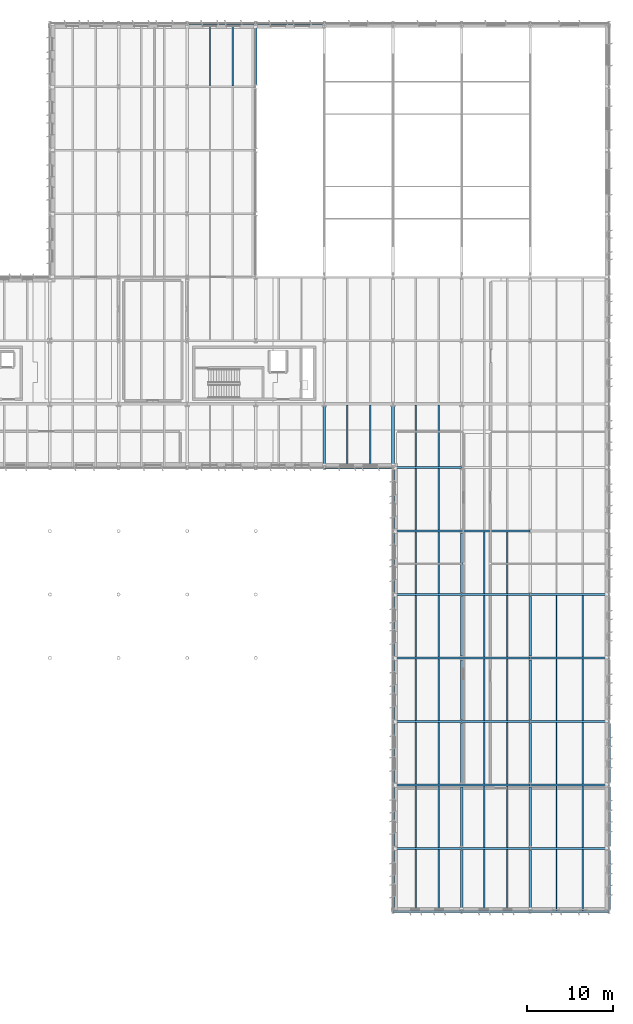
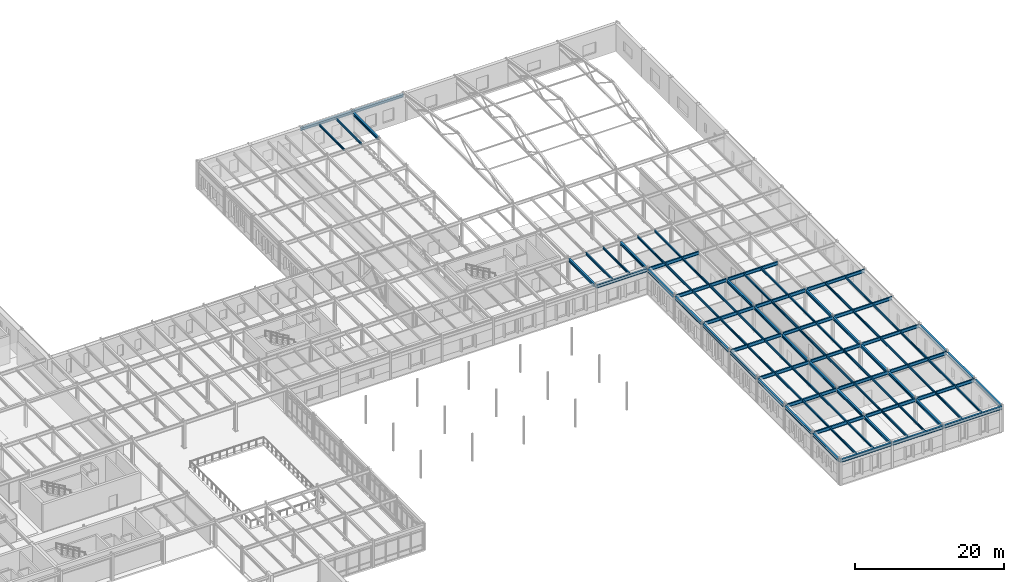
# One storey, part 26 of 75: 90 beams.
"""IFC4 building model written with IfcOpenShell, lengths in metres."""

import ifcopenshell
import ifcopenshell.guid

model = None  # the IFC model being written
_history = None  # IfcOwnerHistory: only IFC2X3 demands one
_inside = {}  # id of a spatial element -> (the spatial element, [elements in it])
_under = {}  # id of a project, library or spatial element -> (it, [spatial elements below it])
_declared = {}  # id of a project -> (the project, [libraries it declares])
_typed = {}  # id of a type object -> (the type object, [elements of that type])
_made_of = {}  # id of a material, layer set ... -> (it, [elements and type objects made of it])


def new_model(schema):
    """Start an empty IFC model of exactly this schema.

    Asked for "IFC4X3", IfcOpenShell would pick the latest addendum, in which some entities
    have other attributes; the version numbers below select the first issue.
    IFC2X3 requires an IfcOwnerHistory on every rooted entity: one is made here for all.
    """
    global model, _history
    if schema == "IFC4X3":
        model = ifcopenshell.file(schema_version=(4, 3, 0, 0))
    else:
        model = ifcopenshell.file(schema=schema)
    _inside.clear()
    _under.clear()
    _declared.clear()
    _typed.clear()
    _made_of.clear()
    _history = None
    if model.schema == "IFC2X3":
        org = make("IfcOrganization", Name="unknown")
        user = make(
            "IfcPersonAndOrganization",
            ThePerson=make("IfcPerson", FamilyName="unknown"),
            TheOrganization=org,
        )
        app = make(
            "IfcApplication",
            ApplicationDeveloper=org,
            Version="unknown",
            ApplicationFullName="unknown",
            ApplicationIdentifier="unknown",
        )
        _history = make(
            "IfcOwnerHistory",
            OwningUser=user,
            OwningApplication=app,
            ChangeAction="ADDED",
            CreationDate=0,
        )
    return model


def make(cls, **values):
    """One entity of the class cls with the attributes given. An attribute that is None is left unset."""
    return model.create_entity(
        cls, **{name: value for name, value in values.items() if value is not None}
    )


def rooted(cls, **values):
    """An entity with a GlobalId (a new one), such as an element, a storey or a relation."""
    return make(cls, GlobalId=ifcopenshell.guid.new(), OwnerHistory=_history, **values)


def si_unit(unit_type, name, prefix=None):
    """IfcSIUnit, for example si_unit("LENGTHUNIT", "METRE", prefix="MILLI")."""
    return make("IfcSIUnit", UnitType=unit_type, Prefix=prefix, Name=name)


def assignment(units):
    """IfcUnitAssignment: the units of a project."""
    return None if units is None else make("IfcUnitAssignment", Units=units)


def point(xyz):
    """IfcCartesianPoint."""
    return None if xyz is None else make("IfcCartesianPoint", Coordinates=xyz)


def direction(xyz):
    """IfcDirection."""
    return None if xyz is None else make("IfcDirection", DirectionRatios=xyz)


def frame(location, z_axis=None, x_axis=None):
    """IfcAxis2Placement3D, a coordinate frame: its origin and axes. An axis left out is left unset."""
    return make(
        "IfcAxis2Placement3D",
        Location=point(location),
        Axis=direction(z_axis),
        RefDirection=direction(x_axis),
    )


def frame_2d(location, x_axis=None):
    """IfcAxis2Placement2D, a coordinate frame in the plane: its origin and x axis."""
    return make(
        "IfcAxis2Placement2D", Location=point(location), RefDirection=direction(x_axis)
    )


def origin():
    """The frame at (0, 0, 0) with its axes left unset."""
    return frame((0.0, 0.0, 0.0))


def origin_2d():
    """The frame at (0, 0) in the plane with its x axis left unset."""
    return frame_2d((0.0, 0.0))


def place(relative_to, where):
    """IfcLocalPlacement: puts the frame where relative to a parent placement (None: the world)."""
    return make(
        "IfcLocalPlacement", PlacementRelTo=relative_to, RelativePlacement=where
    )


def context(
    kind, dimensions, precision=None, world=None, true_north=None, identifier=None
):
    """IfcGeometricRepresentationContext, for example the 3D "Model" context."""
    return make(
        "IfcGeometricRepresentationContext",
        ContextIdentifier=identifier,
        ContextType=kind,
        CoordinateSpaceDimension=dimensions,
        Precision=precision,
        WorldCoordinateSystem=world,
        TrueNorth=true_north,
    )


def subcontext(parent, identifier, kind, view, scale=None):
    """IfcGeometricRepresentationSubContext, for example "Body" below "Model"."""
    return make(
        "IfcGeometricRepresentationSubContext",
        ContextIdentifier=identifier,
        ContextType=kind,
        ParentContext=parent,
        TargetScale=scale,
        TargetView=view,
    )


def project(units=None, contexts=None):
    """IfcProject with its units and contexts."""
    return rooted(
        "IfcProject",
        Name="project",
        RepresentationContexts=contexts,
        UnitsInContext=assignment(units),
    )


def spatial(cls, under=None, at=None, **own):
    """A site, building, storey or space (cls), placed at a placement, below another one or the project."""
    s = rooted(cls, ObjectPlacement=at, **own)
    if under is not None:
        _under.setdefault(under.id(), (under, []))[1].append(s)
    return s


def profile(cls, at=None, kind="AREA", **sizes):
    """A parametric profile (cls). Its sizes go by their IFC names, for example OverallWidth=200.0."""
    return make(cls, ProfileType=kind, Position=at, **sizes)


def i_section(**sizes):
    """IfcIShapeProfileDef."""
    return profile("IfcIShapeProfileDef", **sizes)


def extrude(swept, where, along, depth):
    """IfcExtrudedAreaSolid: the profile swept, set in the frame where, extruded along a direction by depth."""
    return make(
        "IfcExtrudedAreaSolid",
        SweptArea=swept,
        Position=where,
        ExtrudedDirection=direction(along),
        Depth=depth,
    )


def shape(context_of_items, identifier, shape_type, items):
    """IfcShapeRepresentation: the items that make up one representation, for example the "Body"."""
    return make(
        "IfcShapeRepresentation",
        ContextOfItems=context_of_items,
        RepresentationIdentifier=identifier,
        RepresentationType=shape_type,
        Items=items,
    )


def material(Name=None, Category=None):
    """IfcMaterial."""
    return make("IfcMaterial", Name=Name, Category=Category)


def material_profile(
    of_material, cross_section, Name=None, Category=None, Priority=None
):
    """IfcMaterialProfile: a cross section and its material."""
    return make(
        "IfcMaterialProfile",
        Name=Name,
        Material=of_material,
        Profile=cross_section,
        Priority=Priority,
        Category=Category,
    )


def profile_set(profiles, Name=None, composite=None):
    """IfcMaterialProfileSet."""
    return make(
        "IfcMaterialProfileSet",
        Name=Name,
        MaterialProfiles=profiles,
        CompositeProfile=composite,
    )


def made_of(thing, what):
    """Note that an element or type object is made of a material, layer set ...; save() writes the relation."""
    if what is not None:
        _made_of.setdefault(what.id(), (what, []))[1].append(thing)
    return thing


def type_object(cls, material=None, **own):
    """A type object (cls), such as IfcWallType, which elements share."""
    return made_of(rooted(cls, **own), material)


def element(
    cls,
    number,
    at=None,
    inside=None,
    cuts=None,
    type_object=None,
    material=None,
    context=None,
    identifier="Body",
    shape_type=None,
    held_by="IfcProductDefinitionShape",
    body=None,
    shapes=None,
    **own,
):
    """One element of the class cls, such as IfcWall. Its Tag is "e" and its number.

    at: its placement. inside: the storey or other place that contains it. cuts: it is an
    opening in that element (IfcRelVoidsElement). A single representation is given by context,
    identifier, shape_type and body (its items); several are given by shapes. held_by: the class
    of the entity that holds the representations. save() writes the other relations.
    """
    e = rooted(cls, Tag="e%d" % number, ObjectPlacement=at, **own)
    if body is not None:
        shapes = [shape(context, identifier, shape_type, body)]
    if shapes is not None:
        e.Representation = make(held_by, Representations=shapes)
    if inside is not None:
        _inside.setdefault(inside.id(), (inside, []))[1].append(e)
    if cuts is not None:
        rooted(
            "IfcRelVoidsElement", RelatingBuildingElement=cuts, RelatedOpeningElement=e
        )
    if type_object is not None:
        _typed.setdefault(type_object.id(), (type_object, []))[1].append(e)
    return made_of(e, material)


def aggregate(whole, parts):
    """IfcRelAggregates: a whole, such as a stair, and the parts it consists of."""
    return rooted("IfcRelAggregates", RelatingObject=whole, RelatedObjects=parts)


def save(model, path):
    """Write the relations noted so far, then the file.

    IfcRelAggregates (storeys below a building ...), IfcRelContainedInSpatialStructure (elements
    in a storey), IfcRelDefinesByType, IfcRelAssociatesMaterial and IfcRelDeclares: one each for
    every whole, place, type object, material and project.
    """
    for whole, parts in _under.values():
        aggregate(whole, parts)
    for where, things in _inside.values():
        rooted(
            "IfcRelContainedInSpatialStructure",
            RelatedElements=things,
            RelatingStructure=where,
        )
    for kind, things in _typed.values():
        rooted("IfcRelDefinesByType", RelatedObjects=things, RelatingType=kind)
    for what, things in _made_of.values():
        rooted("IfcRelAssociatesMaterial", RelatedObjects=things, RelatingMaterial=what)
    for by, libraries in _declared.values():
        rooted("IfcRelDeclares", RelatingContext=by, RelatedDefinitions=libraries)
    model.write(path)


model = new_model("IFC4")

# Units and contexts
model_context = context("Model", 3, precision=1e-05, world=origin(), true_north=direction((0.0, 1.0)))
body_context = subcontext(model_context, "Body", "Model", "MODEL_VIEW")
ifc_project = project(units=[si_unit("LENGTHUNIT", "METRE"), si_unit("AREAUNIT", "SQUARE_METRE"), si_unit("VOLUMEUNIT", "CUBIC_METRE"), si_unit("PLANEANGLEUNIT", "RADIAN"), si_unit("MASSUNIT", "GRAM", prefix="KILO")], contexts=[model_context])

# Site, building, storey
site_placement = place(None, origin())
site = spatial("IfcSite", under=ifc_project, at=site_placement, CompositionType="ELEMENT")
building_placement = place(site_placement, origin())
building = spatial("IfcBuilding", under=site, at=building_placement, Name="Valkorina Park Police Headquarters", CompositionType="ELEMENT")
storey_placement = place(building_placement, frame((0.0, 0.0, 5.39990234375)))
storey = spatial("IfcBuildingStorey", under=building, at=storey_placement, Name="L02", CompositionType="ELEMENT", Elevation=5.39990234375)

# Beams
ifc_material = material(Name="Steel S355", Category="steel")
ifc_material_profile_1 = material_profile(ifc_material, i_section(OverallWidth=0.300048828125, OverallDepth=0.489990234375, WebThickness=0.011962890625, FlangeThickness=0.02294921875, FilletRadius=0.027099609375, at=origin_2d()), Name="HEA 500")
ifc_profile_set_1 = profile_set([ifc_material_profile_1], Name="Steel S355")
beam_type_1 = type_object("IfcBeamType", Name="BM-S355-HEA500-BM", PredefinedType="BEAM", material=ifc_profile_set_1)
for number, where, z_axis, x_axis, name in (
    (1, (120.800048828125, 103.824951171875, 3.9951171875), (0.0, 1.0, 0.0), (-1.0, 0.0, 0.0), "L02 Framing Beam 1729"),
    (2, (128.800048828125, 59.425048828125, 3.9951171875), (0.0, 1.0, 0.0), (-1.0, 0.0, 0.0), "L02 Framing Beam 1730"),
    (3, (136.800048828125, 59.425048828125, 3.955078125), (0.0, 1.0, 0.0), (-1.0, 0.0, 0.0), "L02 Framing Beam 1760"),
    (4, (144.800048828125, 7.625, 3.925048828125), (0.0, 1.0, 0.0), (-1.0, 0.0, 0.0), "L02 Framing Beam 1769"),
):
    element("IfcBeam", number, at=place(storey_placement, frame(where, z_axis=z_axis, x_axis=x_axis)), inside=storey, type_object=beam_type_1, Name=name, PredefinedType="BEAM", context=body_context, shape_type="SweptSolid", body=[
        extrude(i_section(OverallWidth=0.300048828125, OverallDepth=0.489990234375, WebThickness=0.011962890625, FlangeThickness=0.02294921875, FilletRadius=0.027099609375, at=origin_2d()), origin(), (0.0, 0.0, 1.0), 6.949951171875),
    ])
beam_1_placement = place(storey_placement, frame((144.800048828125, 15.02490234375, 3.925048828125), z_axis=(0.0, 1.0, 0.0), x_axis=(-1.0, 0.0, 0.0)))
element("IfcBeam", 5, at=beam_1_placement, inside=storey, type_object=beam_type_1, Name="L02 Framing Beam 1772", PredefinedType="BEAM", context=body_context, shape_type="SweptSolid", body=[
    extrude(i_section(OverallWidth=0.300048828125, OverallDepth=0.489990234375, WebThickness=0.011962890625, FlangeThickness=0.02294921875, FilletRadius=0.027099609375, at=origin_2d()), origin(), (0.0, 0.0, 1.0), 6.9501953125),
])
for number, where, z_axis, x_axis, name in (
    (6, (144.800048828125, 22.425048828125, 3.925048828125), (0.0, 1.0, 0.0), (-1.0, 0.0, 0.0), "L02 Framing Beam 1775"),
    (7, (144.800048828125, 29.824951171875, 3.925048828125), (0.0, 1.0, 0.0), (-1.0, 0.0, 0.0), "L02 Framing Beam 1778"),
    (8, (144.800048828125, 37.22509765625, 3.955078125), (0.0, 1.0, 0.0), (-1.0, 0.0, 0.0), "L02 Framing Beam 1781"),
    (9, (144.800048828125, 44.625, 3.955078125), (0.0, 1.0, 0.0), (-1.0, 0.0, 0.0), "L02 Framing Beam 1784"),
    (10, (152.800048828125, 7.625, 3.925048828125), (0.0, 1.0, 0.0), (-1.0, 0.0, 0.0), "L02 Framing Beam 1799"),
):
    element("IfcBeam", number, at=place(storey_placement, frame(where, z_axis=z_axis, x_axis=x_axis)), inside=storey, type_object=beam_type_1, Name=name, PredefinedType="BEAM", context=body_context, shape_type="SweptSolid", body=[
        extrude(i_section(OverallWidth=0.300048828125, OverallDepth=0.489990234375, WebThickness=0.011962890625, FlangeThickness=0.02294921875, FilletRadius=0.027099609375, at=origin_2d()), origin(), (0.0, 0.0, 1.0), 6.949951171875),
    ])
beam_2_placement = place(storey_placement, frame((152.800048828125, 15.02490234375, 3.925048828125), z_axis=(0.0, 1.0, 0.0), x_axis=(-1.0, 0.0, 0.0)))
element("IfcBeam", 11, at=beam_2_placement, inside=storey, type_object=beam_type_1, Name="L02 Framing Beam 1803", PredefinedType="BEAM", context=body_context, shape_type="SweptSolid", body=[
    extrude(i_section(OverallWidth=0.300048828125, OverallDepth=0.489990234375, WebThickness=0.011962890625, FlangeThickness=0.02294921875, FilletRadius=0.027099609375, at=origin_2d()), origin(), (0.0, 0.0, 1.0), 6.9501953125),
])
for number, where, z_axis, x_axis, name in (
    (12, (152.800048828125, 22.425048828125, 3.925048828125), (0.0, 1.0, 0.0), (-1.0, 0.0, 0.0), "L02 Framing Beam 1807"),
    (13, (152.800048828125, 29.824951171875, 3.925048828125), (0.0, 1.0, 0.0), (-1.0, 0.0, 0.0), "L02 Framing Beam 1811"),
    (14, (152.800048828125, 37.22509765625, 3.955078125), (0.0, 1.0, 0.0), (-1.0, 0.0, 0.0), "L02 Framing Beam 1815"),
):
    element("IfcBeam", number, at=place(storey_placement, frame(where, z_axis=z_axis, x_axis=x_axis)), inside=storey, type_object=beam_type_1, Name=name, PredefinedType="BEAM", context=body_context, shape_type="SweptSolid", body=[
        extrude(i_section(OverallWidth=0.300048828125, OverallDepth=0.489990234375, WebThickness=0.011962890625, FlangeThickness=0.02294921875, FilletRadius=0.027099609375, at=origin_2d()), origin(), (0.0, 0.0, 1.0), 6.949951171875),
    ])
ifc_material_profile_2 = material_profile(ifc_material, i_section(OverallWidth=0.300048828125, OverallDepth=0.489990234375, WebThickness=0.011962890625, FlangeThickness=0.02294921875, FilletRadius=0.027099609375, at=origin_2d()), Name="HEA 500")
ifc_profile_set_2 = profile_set([ifc_material_profile_2], Name="Steel S355")
beam_type_2 = type_object("IfcBeamType", Name="BM-S355-HEA500-SPN", PredefinedType="SPANDREL", material=ifc_profile_set_2)
for number, where, z_axis, x_axis, name in (
    (15, (136.806884765625, 7.39990234375, 3.925048828125), (1.0, 0.0, 0.0), (0.0, 1.0, 0.0), "L02 Framing Beam 1283"),
    (16, (144.806884765625, 7.39990234375, 3.925048828125), (1.0, 0.0, 0.0), (0.0, 1.0, 0.0), "L02 Framing Beam 1284"),
):
    element("IfcBeam", number, at=place(storey_placement, frame(where, z_axis=z_axis, x_axis=x_axis)), inside=storey, type_object=beam_type_2, Name=name, PredefinedType="SPANDREL", context=body_context, shape_type="SweptSolid", body=[
        extrude(i_section(OverallWidth=0.300048828125, OverallDepth=0.489990234375, WebThickness=0.011962890625, FlangeThickness=0.02294921875, FilletRadius=0.027099609375, at=origin_2d()), origin(), (0.0, 0.0, 1.0), 7.986083984375),
    ])
beam_3_placement = place(storey_placement, frame((152.806884765625, 7.39990234375, 3.925048828125), z_axis=(1.0, 0.0, 0.0), x_axis=(0.0, 1.0, 0.0)))
element("IfcBeam", 17, at=beam_3_placement, inside=storey, type_object=beam_type_2, Name="L02 Framing Beam 1285", PredefinedType="SPANDREL", context=body_context, shape_type="SweptSolid", body=[
    extrude(i_section(OverallWidth=0.300048828125, OverallDepth=0.489990234375, WebThickness=0.011962890625, FlangeThickness=0.02294921875, FilletRadius=0.027099609375, at=origin_2d()), origin(), (0.0, 0.0, 1.0), 9.18603515625),
])
for number, where, z_axis, x_axis, name in (
    (18, (128.806884765625, 59.199951171875, 3.955078125), (1.0, 0.0, 0.0), (0.0, 1.0, 0.0), "L02 Framing Beam 1355"),
    (19, (112.806884765625, 111.0, 3.9951171875), (1.0, 0.0, 0.0), (0.0, 1.0, 0.0), "L02 Framing Beam 1443"),
    (20, (120.806884765625, 111.0, 3.9951171875), (1.0, 0.0, 0.0), (0.0, 1.0, 0.0), "L02 Framing Beam 1444"),
):
    element("IfcBeam", number, at=place(storey_placement, frame(where, z_axis=z_axis, x_axis=x_axis)), inside=storey, type_object=beam_type_2, Name=name, PredefinedType="SPANDREL", context=body_context, shape_type="SweptSolid", body=[
        extrude(i_section(OverallWidth=0.300048828125, OverallDepth=0.489990234375, WebThickness=0.011962890625, FlangeThickness=0.02294921875, FilletRadius=0.027099609375, at=origin_2d()), origin(), (0.0, 0.0, 1.0), 7.986083984375),
    ])
beam_4_placement = place(storey_placement, frame((136.800048828125, 7.625, 3.925048828125), z_axis=(0.0, 1.0, 0.0), x_axis=(-1.0, 0.0, 0.0)))
element("IfcBeam", 21, at=beam_4_placement, inside=storey, type_object=beam_type_2, Name="L02 Framing Beam 1739", PredefinedType="SPANDREL", context=body_context, shape_type="SweptSolid", body=[
    extrude(i_section(OverallWidth=0.300048828125, OverallDepth=0.489990234375, WebThickness=0.011962890625, FlangeThickness=0.02294921875, FilletRadius=0.027099609375, at=origin_2d()), origin(), (0.0, 0.0, 1.0), 6.949951171875),
])
beam_5_placement = place(storey_placement, frame((136.800048828125, 15.02490234375, 3.925048828125), z_axis=(0.0, 1.0, 0.0), x_axis=(-1.0, 0.0, 0.0)))
element("IfcBeam", 22, at=beam_5_placement, inside=storey, type_object=beam_type_2, Name="L02 Framing Beam 1742", PredefinedType="SPANDREL", context=body_context, shape_type="SweptSolid", body=[
    extrude(i_section(OverallWidth=0.300048828125, OverallDepth=0.489990234375, WebThickness=0.011962890625, FlangeThickness=0.02294921875, FilletRadius=0.027099609375, at=origin_2d()), origin(), (0.0, 0.0, 1.0), 6.9501953125),
])
for number, where, z_axis, x_axis, name in (
    (23, (136.800048828125, 22.425048828125, 3.925048828125), (0.0, 1.0, 0.0), (-1.0, 0.0, 0.0), "L02 Framing Beam 1745"),
    (24, (136.800048828125, 29.824951171875, 3.925048828125), (0.0, 1.0, 0.0), (-1.0, 0.0, 0.0), "L02 Framing Beam 1748"),
    (25, (136.800048828125, 37.22509765625, 3.955078125), (0.0, 1.0, 0.0), (-1.0, 0.0, 0.0), "L02 Framing Beam 1751"),
    (26, (136.800048828125, 44.625, 3.955078125), (0.0, 1.0, 0.0), (-1.0, 0.0, 0.0), "L02 Framing Beam 1754"),
):
    element("IfcBeam", number, at=place(storey_placement, frame(where, z_axis=z_axis, x_axis=x_axis)), inside=storey, type_object=beam_type_2, Name=name, PredefinedType="SPANDREL", context=body_context, shape_type="SweptSolid", body=[
        extrude(i_section(OverallWidth=0.300048828125, OverallDepth=0.489990234375, WebThickness=0.011962890625, FlangeThickness=0.02294921875, FilletRadius=0.027099609375, at=origin_2d()), origin(), (0.0, 0.0, 1.0), 6.949951171875),
    ])
beam_6_placement = place(storey_placement, frame((136.800048828125, 52.02490234375, 3.955078125), z_axis=(0.0, 1.0, 0.0), x_axis=(-1.0, 0.0, 0.0)))
element("IfcBeam", 27, at=beam_6_placement, inside=storey, type_object=beam_type_2, Name="L02 Framing Beam 1757", PredefinedType="SPANDREL", context=body_context, shape_type="SweptSolid", body=[
    extrude(i_section(OverallWidth=0.300048828125, OverallDepth=0.489990234375, WebThickness=0.011962890625, FlangeThickness=0.02294921875, FilletRadius=0.027099609375, at=origin_2d()), origin(), (0.0, 0.0, 1.0), 6.9501953125),
])
beam_7_placement = place(storey_placement, frame((162.0, 7.625, 3.925048828125), z_axis=(0.0, 1.0, 0.0), x_axis=(-1.0, 0.0, 0.0)))
element("IfcBeam", 28, at=beam_7_placement, inside=storey, type_object=beam_type_2, Name="L02 Framing Beam 1800", PredefinedType="SPANDREL", context=body_context, shape_type="SweptSolid", body=[
    extrude(i_section(OverallWidth=0.300048828125, OverallDepth=0.489990234375, WebThickness=0.011962890625, FlangeThickness=0.02294921875, FilletRadius=0.027099609375, at=origin_2d()), origin(), (0.0, 0.0, 1.0), 6.949951171875),
])
beam_8_placement = place(storey_placement, frame((162.0, 15.02490234375, 3.925048828125), z_axis=(0.0, 1.0, 0.0), x_axis=(-1.0, 0.0, 0.0)))
element("IfcBeam", 29, at=beam_8_placement, inside=storey, type_object=beam_type_2, Name="L02 Framing Beam 1804", PredefinedType="SPANDREL", context=body_context, shape_type="SweptSolid", body=[
    extrude(i_section(OverallWidth=0.300048828125, OverallDepth=0.489990234375, WebThickness=0.011962890625, FlangeThickness=0.02294921875, FilletRadius=0.027099609375, at=origin_2d()), origin(), (0.0, 0.0, 1.0), 6.9501953125),
])
beam_9_placement = place(storey_placement, frame((162.0, 22.425048828125, 3.925048828125), z_axis=(0.0, 1.0, 0.0), x_axis=(-1.0, 0.0, 0.0)))
element("IfcBeam", 30, at=beam_9_placement, inside=storey, type_object=beam_type_2, Name="L02 Framing Beam 1808", PredefinedType="SPANDREL", context=body_context, shape_type="SweptSolid", body=[
    extrude(i_section(OverallWidth=0.300048828125, OverallDepth=0.489990234375, WebThickness=0.011962890625, FlangeThickness=0.02294921875, FilletRadius=0.027099609375, at=origin_2d()), origin(), (0.0, 0.0, 1.0), 6.949951171875),
])
ifc_material_profile_3 = material_profile(ifc_material, i_section(OverallWidth=0.169921875, OverallDepth=0.360107421875, WebThickness=0.008056640625, FlangeThickness=0.0126953125, FilletRadius=0.01806640625, at=origin_2d()), Name="IPE 360")
ifc_profile_set_3 = profile_set([ifc_material_profile_3], Name="Steel S355")
beam_type_3 = type_object("IfcBeamType", Name="BM-S355-IPE360-JST", PredefinedType="JOIST", material=ifc_profile_set_3)
for number, where, z_axis, x_axis, name in (
    (31, (115.466796875, 103.705078125, 4.06005859375), (0.0, 1.0, 0.0), (-1.0, 0.0, 0.0), "L02 Framing Beam 1718"),
    (32, (118.13330078125, 103.705078125, 4.06005859375), (0.0, 1.0, 0.0), (-1.0, 0.0, 0.0), "L02 Framing Beam 1719"),
    (33, (131.466796875, 59.35009765625, 4.06005859375), (0.0, 1.0, 0.0), (-1.0, 0.0, 0.0), "L02 Framing Beam 1731"),
    (34, (134.13330078125, 59.35009765625, 4.06005859375), (0.0, 1.0, 0.0), (-1.0, 0.0, 0.0), "L02 Framing Beam 1732"),
    (35, (139.466796875, 7.550048828125, 3.989990234375), (0.0, 1.0, 0.0), (-1.0, 0.0, 0.0), "L02 Framing Beam 1740"),
    (36, (142.13330078125, 7.550048828125, 3.989990234375), (0.0, 1.0, 0.0), (-1.0, 0.0, 0.0), "L02 Framing Beam 1741"),
):
    element("IfcBeam", number, at=place(storey_placement, frame(where, z_axis=z_axis, x_axis=x_axis)), inside=storey, type_object=beam_type_3, Name=name, PredefinedType="JOIST", context=body_context, shape_type="SweptSolid", body=[
        extrude(i_section(OverallWidth=0.169921875, OverallDepth=0.360107421875, WebThickness=0.008056640625, FlangeThickness=0.0126953125, FilletRadius=0.01806640625, at=origin_2d()), origin(), (0.0, 0.0, 1.0), 7.14501953125),
    ])
for number, where, z_axis, x_axis, name in (
    (37, (139.466796875, 14.905029296875, 3.989990234375), (0.0, 1.0, 0.0), (-1.0, 0.0, 0.0), "L02 Framing Beam 1743"),
    (38, (142.13330078125, 14.905029296875, 3.989990234375), (0.0, 1.0, 0.0), (-1.0, 0.0, 0.0), "L02 Framing Beam 1744"),
):
    element("IfcBeam", number, at=place(storey_placement, frame(where, z_axis=z_axis, x_axis=x_axis)), inside=storey, type_object=beam_type_3, Name=name, PredefinedType="JOIST", context=body_context, shape_type="SweptSolid", body=[
        extrude(i_section(OverallWidth=0.169921875, OverallDepth=0.360107421875, WebThickness=0.008056640625, FlangeThickness=0.0126953125, FilletRadius=0.01806640625, at=origin_2d()), origin(), (0.0, 0.0, 1.0), 7.18994140625),
    ])
for number, where, z_axis, x_axis, name in (
    (39, (139.466796875, 22.304931640625, 3.989990234375), (0.0, 1.0, 0.0), (-1.0, 0.0, 0.0), "L02 Framing Beam 1746"),
    (40, (142.13330078125, 22.304931640625, 3.989990234375), (0.0, 1.0, 0.0), (-1.0, 0.0, 0.0), "L02 Framing Beam 1747"),
):
    element("IfcBeam", number, at=place(storey_placement, frame(where, z_axis=z_axis, x_axis=x_axis)), inside=storey, type_object=beam_type_3, Name=name, PredefinedType="JOIST", context=body_context, shape_type="SweptSolid", body=[
        extrude(i_section(OverallWidth=0.169921875, OverallDepth=0.360107421875, WebThickness=0.008056640625, FlangeThickness=0.0126953125, FilletRadius=0.01806640625, at=origin_2d()), origin(), (0.0, 0.0, 1.0), 7.190185546875),
    ])
for number, where, z_axis, x_axis, name in (
    (41, (139.466796875, 29.705078125, 3.989990234375), (0.0, 1.0, 0.0), (-1.0, 0.0, 0.0), "L02 Framing Beam 1749"),
    (42, (142.13330078125, 29.705078125, 3.989990234375), (0.0, 1.0, 0.0), (-1.0, 0.0, 0.0), "L02 Framing Beam 1750"),
    (43, (139.466796875, 37.10498046875, 4.02001953125), (0.0, 1.0, 0.0), (-1.0, 0.0, 0.0), "L02 Framing Beam 1752"),
    (44, (142.13330078125, 37.10498046875, 4.02001953125), (0.0, 1.0, 0.0), (-1.0, 0.0, 0.0), "L02 Framing Beam 1753"),
):
    element("IfcBeam", number, at=place(storey_placement, frame(where, z_axis=z_axis, x_axis=x_axis)), inside=storey, type_object=beam_type_3, Name=name, PredefinedType="JOIST", context=body_context, shape_type="SweptSolid", body=[
        extrude(i_section(OverallWidth=0.169921875, OverallDepth=0.360107421875, WebThickness=0.008056640625, FlangeThickness=0.0126953125, FilletRadius=0.01806640625, at=origin_2d()), origin(), (0.0, 0.0, 1.0), 7.18994140625),
    ])
for number, where, z_axis, x_axis, name in (
    (45, (139.466796875, 44.5048828125, 4.02001953125), (0.0, 1.0, 0.0), (-1.0, 0.0, 0.0), "L02 Framing Beam 1755"),
    (46, (142.13330078125, 44.5048828125, 4.02001953125), (0.0, 1.0, 0.0), (-1.0, 0.0, 0.0), "L02 Framing Beam 1756"),
):
    element("IfcBeam", number, at=place(storey_placement, frame(where, z_axis=z_axis, x_axis=x_axis)), inside=storey, type_object=beam_type_3, Name=name, PredefinedType="JOIST", context=body_context, shape_type="SweptSolid", body=[
        extrude(i_section(OverallWidth=0.169921875, OverallDepth=0.360107421875, WebThickness=0.008056640625, FlangeThickness=0.0126953125, FilletRadius=0.01806640625, at=origin_2d()), origin(), (0.0, 0.0, 1.0), 7.190185546875),
    ])
for number, where, z_axis, x_axis, name in (
    (47, (139.466796875, 51.905029296875, 4.02001953125), (0.0, 1.0, 0.0), (-1.0, 0.0, 0.0), "L02 Framing Beam 1758"),
    (48, (142.13330078125, 51.905029296875, 4.02001953125), (0.0, 1.0, 0.0), (-1.0, 0.0, 0.0), "L02 Framing Beam 1759"),
):
    element("IfcBeam", number, at=place(storey_placement, frame(where, z_axis=z_axis, x_axis=x_axis)), inside=storey, type_object=beam_type_3, Name=name, PredefinedType="JOIST", context=body_context, shape_type="SweptSolid", body=[
        extrude(i_section(OverallWidth=0.169921875, OverallDepth=0.360107421875, WebThickness=0.008056640625, FlangeThickness=0.0126953125, FilletRadius=0.01806640625, at=origin_2d()), origin(), (0.0, 0.0, 1.0), 7.18994140625),
    ])
for number, where, z_axis, x_axis, name in (
    (49, (139.466796875, 59.304931640625, 4.02001953125), (0.0, 1.0, 0.0), (-1.0, 0.0, 0.0), "L02 Framing Beam 1761"),
    (50, (142.13330078125, 59.304931640625, 4.02001953125), (0.0, 1.0, 0.0), (-1.0, 0.0, 0.0), "L02 Framing Beam 1762"),
):
    element("IfcBeam", number, at=place(storey_placement, frame(where, z_axis=z_axis, x_axis=x_axis)), inside=storey, type_object=beam_type_3, Name=name, PredefinedType="JOIST", context=body_context, shape_type="SweptSolid", body=[
        extrude(i_section(OverallWidth=0.169921875, OverallDepth=0.360107421875, WebThickness=0.008056640625, FlangeThickness=0.0126953125, FilletRadius=0.01806640625, at=origin_2d()), origin(), (0.0, 0.0, 1.0), 7.190185546875),
    ])
for number, where, z_axis, x_axis, name in (
    (51, (147.466796875, 7.550048828125, 3.989990234375), (0.0, 1.0, 0.0), (-1.0, 0.0, 0.0), "L02 Framing Beam 1770"),
    (52, (150.13330078125, 7.550048828125, 3.989990234375), (0.0, 1.0, 0.0), (-1.0, 0.0, 0.0), "L02 Framing Beam 1771"),
):
    element("IfcBeam", number, at=place(storey_placement, frame(where, z_axis=z_axis, x_axis=x_axis)), inside=storey, type_object=beam_type_3, Name=name, PredefinedType="JOIST", context=body_context, shape_type="SweptSolid", body=[
        extrude(i_section(OverallWidth=0.169921875, OverallDepth=0.360107421875, WebThickness=0.008056640625, FlangeThickness=0.0126953125, FilletRadius=0.01806640625, at=origin_2d()), origin(), (0.0, 0.0, 1.0), 7.14501953125),
    ])
for number, where, z_axis, x_axis, name in (
    (53, (147.466796875, 14.905029296875, 3.989990234375), (0.0, 1.0, 0.0), (-1.0, 0.0, 0.0), "L02 Framing Beam 1773"),
    (54, (150.13330078125, 14.905029296875, 3.989990234375), (0.0, 1.0, 0.0), (-1.0, 0.0, 0.0), "L02 Framing Beam 1774"),
):
    element("IfcBeam", number, at=place(storey_placement, frame(where, z_axis=z_axis, x_axis=x_axis)), inside=storey, type_object=beam_type_3, Name=name, PredefinedType="JOIST", context=body_context, shape_type="SweptSolid", body=[
        extrude(i_section(OverallWidth=0.169921875, OverallDepth=0.360107421875, WebThickness=0.008056640625, FlangeThickness=0.0126953125, FilletRadius=0.01806640625, at=origin_2d()), origin(), (0.0, 0.0, 1.0), 7.18994140625),
    ])
for number, where, z_axis, x_axis, name in (
    (55, (147.466796875, 22.304931640625, 3.989990234375), (0.0, 1.0, 0.0), (-1.0, 0.0, 0.0), "L02 Framing Beam 1776"),
    (56, (150.13330078125, 22.304931640625, 3.989990234375), (0.0, 1.0, 0.0), (-1.0, 0.0, 0.0), "L02 Framing Beam 1777"),
):
    element("IfcBeam", number, at=place(storey_placement, frame(where, z_axis=z_axis, x_axis=x_axis)), inside=storey, type_object=beam_type_3, Name=name, PredefinedType="JOIST", context=body_context, shape_type="SweptSolid", body=[
        extrude(i_section(OverallWidth=0.169921875, OverallDepth=0.360107421875, WebThickness=0.008056640625, FlangeThickness=0.0126953125, FilletRadius=0.01806640625, at=origin_2d()), origin(), (0.0, 0.0, 1.0), 7.190185546875),
    ])
for number, where, z_axis, x_axis, name in (
    (57, (147.466796875, 29.705078125, 3.989990234375), (0.0, 1.0, 0.0), (-1.0, 0.0, 0.0), "L02 Framing Beam 1779"),
    (58, (150.13330078125, 29.705078125, 3.989990234375), (0.0, 1.0, 0.0), (-1.0, 0.0, 0.0), "L02 Framing Beam 1780"),
    (59, (147.466796875, 37.10498046875, 4.02001953125), (0.0, 1.0, 0.0), (-1.0, 0.0, 0.0), "L02 Framing Beam 1782"),
    (60, (150.13330078125, 37.10498046875, 4.02001953125), (0.0, 1.0, 0.0), (-1.0, 0.0, 0.0), "L02 Framing Beam 1783"),
):
    element("IfcBeam", number, at=place(storey_placement, frame(where, z_axis=z_axis, x_axis=x_axis)), inside=storey, type_object=beam_type_3, Name=name, PredefinedType="JOIST", context=body_context, shape_type="SweptSolid", body=[
        extrude(i_section(OverallWidth=0.169921875, OverallDepth=0.360107421875, WebThickness=0.008056640625, FlangeThickness=0.0126953125, FilletRadius=0.01806640625, at=origin_2d()), origin(), (0.0, 0.0, 1.0), 7.18994140625),
    ])
for number, where, z_axis, x_axis, name in (
    (61, (147.466796875, 44.5048828125, 4.02001953125), (0.0, 1.0, 0.0), (-1.0, 0.0, 0.0), "L02 Framing Beam 1785"),
    (62, (150.13330078125, 44.5048828125, 4.02001953125), (0.0, 1.0, 0.0), (-1.0, 0.0, 0.0), "L02 Framing Beam 1786"),
):
    element("IfcBeam", number, at=place(storey_placement, frame(where, z_axis=z_axis, x_axis=x_axis)), inside=storey, type_object=beam_type_3, Name=name, PredefinedType="JOIST", context=body_context, shape_type="SweptSolid", body=[
        extrude(i_section(OverallWidth=0.169921875, OverallDepth=0.360107421875, WebThickness=0.008056640625, FlangeThickness=0.0126953125, FilletRadius=0.01806640625, at=origin_2d()), origin(), (0.0, 0.0, 1.0), 7.190185546875),
    ])
for number, where, z_axis, x_axis, name in (
    (63, (155.86669921875, 7.550048828125, 3.989990234375), (0.0, 1.0, 0.0), (-1.0, 0.0, 0.0), "L02 Framing Beam 1801"),
    (64, (158.933349609375, 7.550048828125, 3.989990234375), (0.0, 1.0, 0.0), (-1.0, 0.0, 0.0), "L02 Framing Beam 1802"),
):
    element("IfcBeam", number, at=place(storey_placement, frame(where, z_axis=z_axis, x_axis=x_axis)), inside=storey, type_object=beam_type_3, Name=name, PredefinedType="JOIST", context=body_context, shape_type="SweptSolid", body=[
        extrude(i_section(OverallWidth=0.169921875, OverallDepth=0.360107421875, WebThickness=0.008056640625, FlangeThickness=0.0126953125, FilletRadius=0.01806640625, at=origin_2d()), origin(), (0.0, 0.0, 1.0), 7.14501953125),
    ])
for number, where, z_axis, x_axis, name in (
    (65, (155.86669921875, 14.905029296875, 3.989990234375), (0.0, 1.0, 0.0), (-1.0, 0.0, 0.0), "L02 Framing Beam 1805"),
    (66, (158.933349609375, 14.905029296875, 3.989990234375), (0.0, 1.0, 0.0), (-1.0, 0.0, 0.0), "L02 Framing Beam 1806"),
):
    element("IfcBeam", number, at=place(storey_placement, frame(where, z_axis=z_axis, x_axis=x_axis)), inside=storey, type_object=beam_type_3, Name=name, PredefinedType="JOIST", context=body_context, shape_type="SweptSolid", body=[
        extrude(i_section(OverallWidth=0.169921875, OverallDepth=0.360107421875, WebThickness=0.008056640625, FlangeThickness=0.0126953125, FilletRadius=0.01806640625, at=origin_2d()), origin(), (0.0, 0.0, 1.0), 7.18994140625),
    ])
for number, where, z_axis, x_axis, name in (
    (67, (155.86669921875, 22.304931640625, 3.989990234375), (0.0, 1.0, 0.0), (-1.0, 0.0, 0.0), "L02 Framing Beam 1809"),
    (68, (158.933349609375, 22.304931640625, 3.989990234375), (0.0, 1.0, 0.0), (-1.0, 0.0, 0.0), "L02 Framing Beam 1810"),
):
    element("IfcBeam", number, at=place(storey_placement, frame(where, z_axis=z_axis, x_axis=x_axis)), inside=storey, type_object=beam_type_3, Name=name, PredefinedType="JOIST", context=body_context, shape_type="SweptSolid", body=[
        extrude(i_section(OverallWidth=0.169921875, OverallDepth=0.360107421875, WebThickness=0.008056640625, FlangeThickness=0.0126953125, FilletRadius=0.01806640625, at=origin_2d()), origin(), (0.0, 0.0, 1.0), 7.190185546875),
    ])
for number, where, z_axis, x_axis, name in (
    (69, (155.86669921875, 29.705078125, 3.989990234375), (0.0, 1.0, 0.0), (-1.0, 0.0, 0.0), "L02 Framing Beam 1813"),
    (70, (158.933349609375, 29.705078125, 3.989990234375), (0.0, 1.0, 0.0), (-1.0, 0.0, 0.0), "L02 Framing Beam 1814"),
    (71, (155.86669921875, 37.10498046875, 4.02001953125), (0.0, 1.0, 0.0), (-1.0, 0.0, 0.0), "L02 Framing Beam 1817"),
    (72, (158.933349609375, 37.10498046875, 4.02001953125), (0.0, 1.0, 0.0), (-1.0, 0.0, 0.0), "L02 Framing Beam 1818"),
):
    element("IfcBeam", number, at=place(storey_placement, frame(where, z_axis=z_axis, x_axis=x_axis)), inside=storey, type_object=beam_type_3, Name=name, PredefinedType="JOIST", context=body_context, shape_type="SweptSolid", body=[
        extrude(i_section(OverallWidth=0.169921875, OverallDepth=0.360107421875, WebThickness=0.008056640625, FlangeThickness=0.0126953125, FilletRadius=0.01806640625, at=origin_2d()), origin(), (0.0, 0.0, 1.0), 7.18994140625),
    ])
ifc_material_profile_4 = material_profile(ifc_material, i_section(OverallWidth=0.2099609375, OverallDepth=0.550048828125, WebThickness=0.010986328125, FlangeThickness=0.01708984375, FilletRadius=0.02392578125, at=origin_2d()), Name="IPE 550")
ifc_profile_set_4 = profile_set([ifc_material_profile_4], Name="Steel S355")
beam_type_4 = type_object("IfcBeamType", Name="BM-S355-IPE550-BM", PredefinedType="BEAM", material=ifc_profile_set_4)
for number, where, z_axis, x_axis, name in (
    (73, (136.806884765625, 14.800048828125, 3.89501953125), (1.0, 0.0, 0.0), (0.0, 1.0, 0.0), "L02 Framing Beam 1289"),
    (74, (144.806884765625, 14.800048828125, 3.89501953125), (1.0, 0.0, 0.0), (0.0, 1.0, 0.0), "L02 Framing Beam 1290"),
):
    element("IfcBeam", number, at=place(storey_placement, frame(where, z_axis=z_axis, x_axis=x_axis)), inside=storey, type_object=beam_type_4, Name=name, PredefinedType="BEAM", context=body_context, shape_type="SweptSolid", body=[
        extrude(i_section(OverallWidth=0.2099609375, OverallDepth=0.550048828125, WebThickness=0.010986328125, FlangeThickness=0.01708984375, FilletRadius=0.02392578125, at=origin_2d()), origin(), (0.0, 0.0, 1.0), 7.986083984375),
    ])
beam_10_placement = place(storey_placement, frame((152.806884765625, 14.800048828125, 3.89501953125), z_axis=(1.0, 0.0, 0.0), x_axis=(0.0, 1.0, 0.0)))
element("IfcBeam", 75, at=beam_10_placement, inside=storey, type_object=beam_type_4, Name="L02 Framing Beam 1291", PredefinedType="BEAM", context=body_context, shape_type="SweptSolid", body=[
    extrude(i_section(OverallWidth=0.2099609375, OverallDepth=0.550048828125, WebThickness=0.010986328125, FlangeThickness=0.01708984375, FilletRadius=0.02392578125, at=origin_2d()), origin(), (0.0, 0.0, 1.0), 9.18603515625),
])
for number, where, z_axis, x_axis, name in (
    (76, (136.806884765625, 22.199951171875, 3.89501953125), (1.0, 0.0, 0.0), (0.0, 1.0, 0.0), "L02 Framing Beam 1302"),
    (77, (144.806884765625, 22.199951171875, 3.89501953125), (1.0, 0.0, 0.0), (0.0, 1.0, 0.0), "L02 Framing Beam 1303"),
):
    element("IfcBeam", number, at=place(storey_placement, frame(where, z_axis=z_axis, x_axis=x_axis)), inside=storey, type_object=beam_type_4, Name=name, PredefinedType="BEAM", context=body_context, shape_type="SweptSolid", body=[
        extrude(i_section(OverallWidth=0.2099609375, OverallDepth=0.550048828125, WebThickness=0.010986328125, FlangeThickness=0.01708984375, FilletRadius=0.02392578125, at=origin_2d()), origin(), (0.0, 0.0, 1.0), 7.986083984375),
    ])
beam_11_placement = place(storey_placement, frame((152.806884765625, 22.199951171875, 3.89501953125), z_axis=(1.0, 0.0, 0.0), x_axis=(0.0, 1.0, 0.0)))
element("IfcBeam", 78, at=beam_11_placement, inside=storey, type_object=beam_type_4, Name="L02 Framing Beam 1304", PredefinedType="BEAM", context=body_context, shape_type="SweptSolid", body=[
    extrude(i_section(OverallWidth=0.2099609375, OverallDepth=0.550048828125, WebThickness=0.010986328125, FlangeThickness=0.01708984375, FilletRadius=0.02392578125, at=origin_2d()), origin(), (0.0, 0.0, 1.0), 9.18603515625),
])
for number, where, z_axis, x_axis, name in (
    (79, (136.806884765625, 29.60009765625, 3.89501953125), (1.0, 0.0, 0.0), (0.0, 1.0, 0.0), "L02 Framing Beam 1310"),
    (80, (144.806884765625, 29.60009765625, 3.89501953125), (1.0, 0.0, 0.0), (0.0, 1.0, 0.0), "L02 Framing Beam 1311"),
):
    element("IfcBeam", number, at=place(storey_placement, frame(where, z_axis=z_axis, x_axis=x_axis)), inside=storey, type_object=beam_type_4, Name=name, PredefinedType="BEAM", context=body_context, shape_type="SweptSolid", body=[
        extrude(i_section(OverallWidth=0.2099609375, OverallDepth=0.550048828125, WebThickness=0.010986328125, FlangeThickness=0.01708984375, FilletRadius=0.02392578125, at=origin_2d()), origin(), (0.0, 0.0, 1.0), 7.986083984375),
    ])
beam_12_placement = place(storey_placement, frame((152.806884765625, 29.60009765625, 3.89501953125), z_axis=(1.0, 0.0, 0.0), x_axis=(0.0, 1.0, 0.0)))
element("IfcBeam", 81, at=beam_12_placement, inside=storey, type_object=beam_type_4, Name="L02 Framing Beam 1312", PredefinedType="BEAM", context=body_context, shape_type="SweptSolid", body=[
    extrude(i_section(OverallWidth=0.2099609375, OverallDepth=0.550048828125, WebThickness=0.010986328125, FlangeThickness=0.01708984375, FilletRadius=0.02392578125, at=origin_2d()), origin(), (0.0, 0.0, 1.0), 9.18603515625),
])
for number, where, z_axis, x_axis, name in (
    (82, (136.806884765625, 37.0, 3.925048828125), (1.0, 0.0, 0.0), (0.0, 1.0, 0.0), "L02 Framing Beam 1322"),
    (83, (144.806884765625, 37.0, 3.925048828125), (1.0, 0.0, 0.0), (0.0, 1.0, 0.0), "L02 Framing Beam 1323"),
):
    element("IfcBeam", number, at=place(storey_placement, frame(where, z_axis=z_axis, x_axis=x_axis)), inside=storey, type_object=beam_type_4, Name=name, PredefinedType="BEAM", context=body_context, shape_type="SweptSolid", body=[
        extrude(i_section(OverallWidth=0.2099609375, OverallDepth=0.550048828125, WebThickness=0.010986328125, FlangeThickness=0.01708984375, FilletRadius=0.02392578125, at=origin_2d()), origin(), (0.0, 0.0, 1.0), 7.986083984375),
    ])
beam_13_placement = place(storey_placement, frame((152.806884765625, 37.0, 3.925048828125), z_axis=(1.0, 0.0, 0.0), x_axis=(0.0, 1.0, 0.0)))
element("IfcBeam", 84, at=beam_13_placement, inside=storey, type_object=beam_type_4, Name="L02 Framing Beam 1324", PredefinedType="BEAM", context=body_context, shape_type="SweptSolid", body=[
    extrude(i_section(OverallWidth=0.2099609375, OverallDepth=0.550048828125, WebThickness=0.010986328125, FlangeThickness=0.01708984375, FilletRadius=0.02392578125, at=origin_2d()), origin(), (0.0, 0.0, 1.0), 9.18603515625),
])
for number, where, z_axis, x_axis, name in (
    (85, (136.806884765625, 44.39990234375, 3.925048828125), (1.0, 0.0, 0.0), (0.0, 1.0, 0.0), "L02 Framing Beam 1331"),
    (86, (144.806884765625, 44.39990234375, 3.925048828125), (1.0, 0.0, 0.0), (0.0, 1.0, 0.0), "L02 Framing Beam 1332"),
):
    element("IfcBeam", number, at=place(storey_placement, frame(where, z_axis=z_axis, x_axis=x_axis)), inside=storey, type_object=beam_type_4, Name=name, PredefinedType="BEAM", context=body_context, shape_type="SweptSolid", body=[
        extrude(i_section(OverallWidth=0.2099609375, OverallDepth=0.550048828125, WebThickness=0.010986328125, FlangeThickness=0.01708984375, FilletRadius=0.02392578125, at=origin_2d()), origin(), (0.0, 0.0, 1.0), 7.986083984375),
    ])
beam_14_placement = place(storey_placement, frame((152.806884765625, 44.39990234375, 3.925048828125), z_axis=(1.0, 0.0, 0.0), x_axis=(0.0, 1.0, 0.0)))
element("IfcBeam", 87, at=beam_14_placement, inside=storey, type_object=beam_type_4, Name="L02 Framing Beam 1333", PredefinedType="BEAM", context=body_context, shape_type="SweptSolid", body=[
    extrude(i_section(OverallWidth=0.2099609375, OverallDepth=0.550048828125, WebThickness=0.010986328125, FlangeThickness=0.01708984375, FilletRadius=0.02392578125, at=origin_2d()), origin(), (0.0, 0.0, 1.0), 9.18603515625),
])
for number, where, z_axis, x_axis, name in (
    (88, (136.806884765625, 51.800048828125, 3.925048828125), (1.0, 0.0, 0.0), (0.0, 1.0, 0.0), "L02 Framing Beam 1337"),
    (89, (144.806884765625, 51.800048828125, 3.925048828125), (1.0, 0.0, 0.0), (0.0, 1.0, 0.0), "L02 Framing Beam 1338"),
    (90, (136.806884765625, 59.199951171875, 3.925048828125), (1.0, 0.0, 0.0), (0.0, 1.0, 0.0), "L02 Framing Beam 1356"),
):
    element("IfcBeam", number, at=place(storey_placement, frame(where, z_axis=z_axis, x_axis=x_axis)), inside=storey, type_object=beam_type_4, Name=name, PredefinedType="BEAM", context=body_context, shape_type="SweptSolid", body=[
        extrude(i_section(OverallWidth=0.2099609375, OverallDepth=0.550048828125, WebThickness=0.010986328125, FlangeThickness=0.01708984375, FilletRadius=0.02392578125, at=origin_2d()), origin(), (0.0, 0.0, 1.0), 7.986083984375),
    ])

save(model, "model.ifc")
